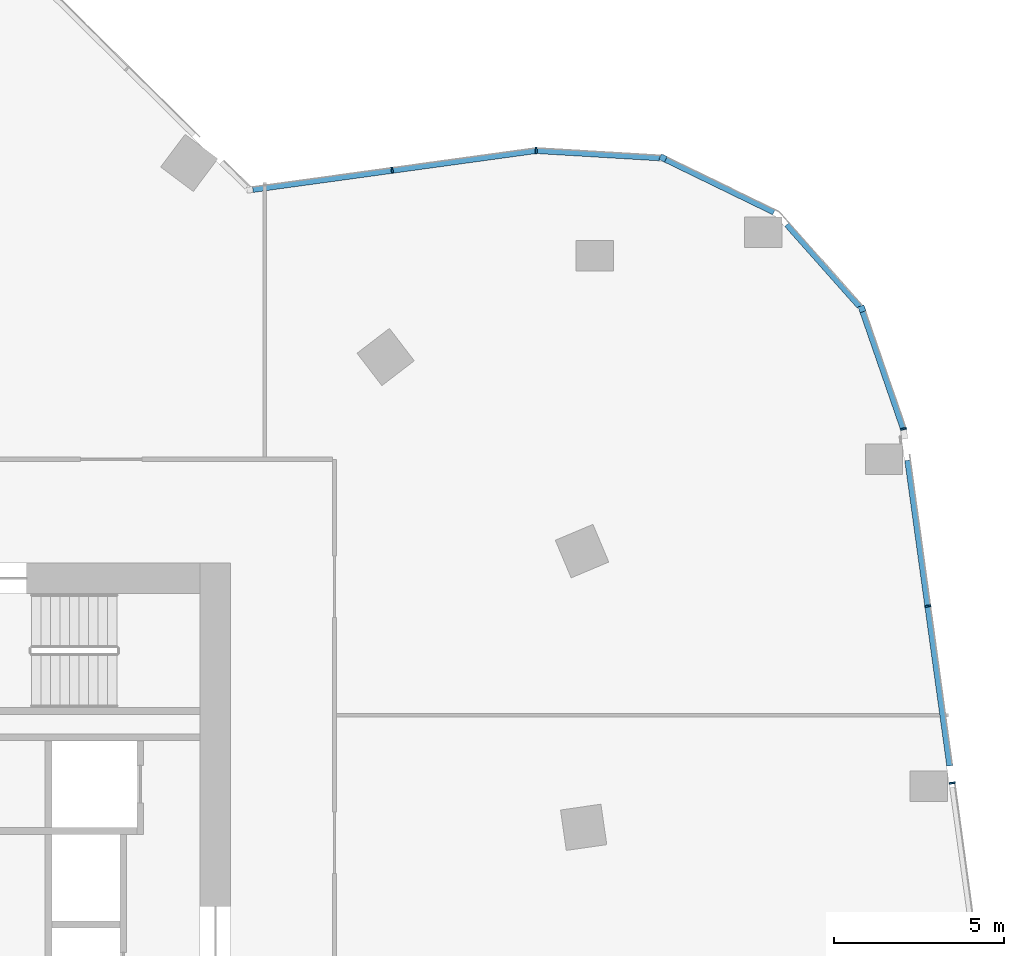
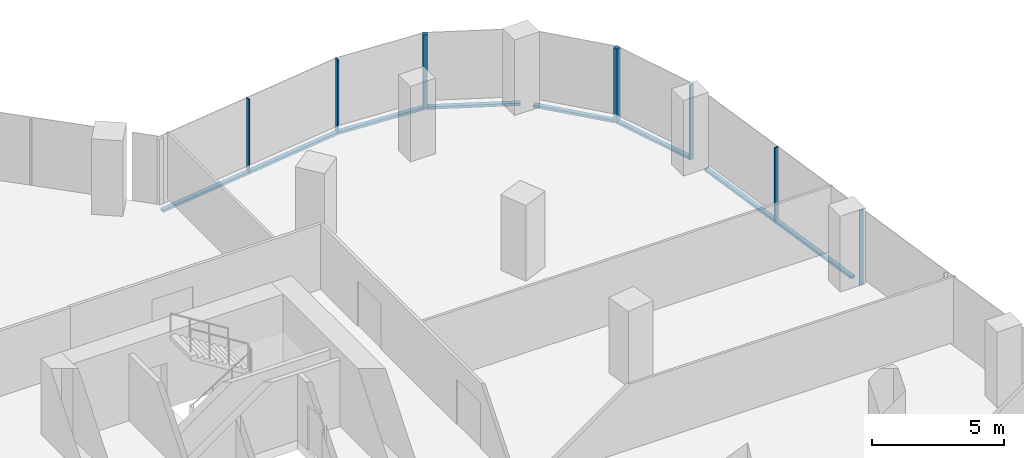
# One storey, part 11 of 27: 13 members, 6 elements without a shape of their own.
"""IFC4 building model written with IfcOpenShell, lengths in metres."""

from ifc_helpers import new_model, si_unit, direction, frame, origin, origin_2d, place, context, subcontext, project, spatial, rectangle, extrude, material, material_profile, profile_set, type_object, element, aggregate, save


model = new_model("IFC4")

# Units and contexts
model_context = context("Model", 3, precision=1e-05, world=origin(), true_north=direction((0.0, 1.0)))
body_context = subcontext(model_context, "Body", "Model", "MODEL_VIEW")
ifc_project = project(units=[si_unit("LENGTHUNIT", "METRE"), si_unit("AREAUNIT", "SQUARE_METRE"), si_unit("VOLUMEUNIT", "CUBIC_METRE"), si_unit("PLANEANGLEUNIT", "RADIAN"), si_unit("MASSUNIT", "GRAM", prefix="KILO")], contexts=[model_context])

# Site, building, storey
site_placement = place(None, origin())
site = spatial("IfcSite", under=ifc_project, at=site_placement, CompositionType="ELEMENT")
building_placement = place(site_placement, origin())
building = spatial("IfcBuilding", under=site, at=building_placement, Name="Orlundy Tower", CompositionType="ELEMENT")
storey_placement = place(building_placement, frame((0.0, 0.0, 199.10009765625)))
storey = spatial("IfcBuildingStorey", under=building, at=storey_placement, Name="L52", CompositionType="ELEMENT", Elevation=199.10009765625)

# Curtain wall, member
ifc_material_1 = material(Name="Aluminium bronze anodised", Category="aluminium")
curtain_wall_type = type_object("IfcCurtainWallType", Name="CW1 wall", PredefinedType="NOTDEFINED", material=ifc_material_1)
curtain_wall_1_placement = place(storey_placement, origin())
curtain_wall_1 = element("IfcCurtainWall", 1, at=curtain_wall_1_placement, inside=storey, type_object=curtain_wall_type, Name="CW1 run 08", PredefinedType="NOTDEFINED")
ifc_material_2 = material(Name="Aluminium bronze anodised", Category="aluminium")
ifc_material_profile_1 = material_profile(ifc_material_2, rectangle(XDim=0.179931640625, YDim=0.179931640625, at=origin_2d()), Name="CW1 corner post 180x180")
ifc_profile_set_1 = profile_set([ifc_material_profile_1], Name="Aluminium bronze anodised")
member_type_1 = type_object("IfcMemberType", Name="CW1 corner post 180x180", PredefinedType="MULLION", material=ifc_profile_set_1)
member_1_placement = place(storey_placement, frame((31.708251953125, 23.90673828125, -0.420166015625), z_axis=(0.0, 0.0, 1.0), x_axis=(0.43725937423, 0.89933544334, 0.0)))
member_1 = element("IfcMember", 2, at=member_1_placement, type_object=member_type_1, Name="CW1 mullion 29", PredefinedType="MULLION", context=body_context, shape_type="SweptSolid", body=[
    extrude(rectangle(XDim=0.179931640625, YDim=0.179931640625, at=origin_2d()), origin(), (0.0, 0.0, 1.0), 3.469970703125),
])

curtain_wall_2_placement = place(storey_placement, origin())
curtain_wall_2 = element("IfcCurtainWall", 3, at=curtain_wall_2_placement, inside=storey, type_object=curtain_wall_type, Name="CW1 run 010", PredefinedType="NOTDEFINED")
member_2_placement = place(storey_placement, frame((37.55810546875, 19.471435546875, -0.420166015625), z_axis=(0.0, 0.0, 1.0), x_axis=(0.945034174317, 0.32697157273, 0.0)))
member_2 = element("IfcMember", 4, at=member_2_placement, type_object=member_type_1, Name="CW1 mullion 31", PredefinedType="MULLION", context=body_context, shape_type="SweptSolid", body=[
    extrude(rectangle(XDim=0.179931640625, YDim=0.179931640625, at=origin_2d()), origin(), (0.0, 0.0, 1.0), 3.469970703125),
])

curtain_wall_3_placement = place(storey_placement, origin())
curtain_wall_3 = element("IfcCurtainWall", 5, at=curtain_wall_3_placement, inside=storey, type_object=curtain_wall_type, Name="CW1 run 06", PredefinedType="NOTDEFINED")
ifc_material_3 = material(Name="Aluminium bronze anodised", Category="aluminium")
ifc_material_profile_2 = material_profile(ifc_material_3, rectangle(XDim=0.179931640625, YDim=0.050048828125, at=origin_2d()), Name="CW1 mullion 50x180")
ifc_profile_set_2 = profile_set([ifc_material_profile_2], Name="Aluminium bronze anodised")
member_type_2 = type_object("IfcMemberType", Name="CW1 mullion 50x180", PredefinedType="MULLION", material=ifc_profile_set_2)
member_3_placement = place(storey_placement, frame((23.746337890625, 23.546142578125, -0.420166015625), z_axis=(0.0, 0.0, 1.0), x_axis=(-0.136185270904, 0.990683386349, 0.0)))
member_3 = element("IfcMember", 6, at=member_3_placement, type_object=member_type_2, Name="CW1 mullion 27", PredefinedType="MULLION", context=body_context, shape_type="SweptSolid", body=[
    extrude(rectangle(XDim=0.179931640625, YDim=0.050048828125, at=origin_2d()), origin(), (0.0, 0.0, 1.0), 3.469970703125),
])

curtain_wall_4_placement = place(storey_placement, origin())
curtain_wall_4 = element("IfcCurtainWall", 7, at=curtain_wall_4_placement, inside=storey, type_object=curtain_wall_type, Name="CW1 run 07", PredefinedType="NOTDEFINED")
member_4_placement = place(storey_placement, frame((27.9814453125, 24.12841796875, -0.420166015625), z_axis=(0.0, 0.0, 1.0), x_axis=(-0.038600530581, 0.9992547218, 0.0)))
member_4 = element("IfcMember", 8, at=member_4_placement, type_object=member_type_2, Name="CW1 mullion 28", PredefinedType="MULLION", context=body_context, shape_type="SweptSolid", body=[
    extrude(rectangle(XDim=0.179931640625, YDim=0.050048828125, at=origin_2d()), origin(), (0.0, 0.0, 1.0), 3.469970703125),
])

# Curtain wall, members
curtain_wall_5_placement = place(storey_placement, origin())
curtain_wall_5 = element("IfcCurtainWall", 9, at=curtain_wall_5_placement, inside=storey, type_object=curtain_wall_type, Name="CW1 run 011", PredefinedType="NOTDEFINED")
member_5_placement = place(storey_placement, frame((38.779052734375, 15.943115234375, -0.420166015625), z_axis=(0.0, 0.0, 1.0), x_axis=(0.972536597982, 0.232750006628, 0.0)))
member_5 = element("IfcMember", 10, at=member_5_placement, type_object=member_type_2, Name="CW1 mullion 32", PredefinedType="MULLION", context=body_context, shape_type="SweptSolid", body=[
    extrude(rectangle(XDim=0.179931640625, YDim=0.050048828125, at=origin_2d()), origin(), (0.0, 0.0, 1.0), 3.469970703125),
])
member_6_placement = place(storey_placement, frame((39.49560546875, 10.733154296875, -0.420166015625), z_axis=(0.0, 0.0, 1.0), x_axis=(0.990669519619, 0.13628610677, 0.0)))
member_6 = element("IfcMember", 11, at=member_6_placement, type_object=member_type_2, Name="CW1 mullion 33", PredefinedType="MULLION", context=body_context, shape_type="SweptSolid", body=[
    extrude(rectangle(XDim=0.179931640625, YDim=0.050048828125, at=origin_2d()), origin(), (0.0, 0.0, 1.0), 3.469970703125),
])
member_7_placement = place(storey_placement, frame((40.211181640625, 5.5322265625, -0.420166015625), z_axis=(0.0, 0.0, 1.0), x_axis=(0.990669519619, 0.13628610677, 0.0)))
member_7 = element("IfcMember", 12, at=member_7_placement, type_object=member_type_2, Name="CW1 mullion 34", PredefinedType="MULLION", context=body_context, shape_type="SweptSolid", body=[
    extrude(rectangle(XDim=0.179931640625, YDim=0.050048828125, at=origin_2d()), origin(), (0.0, 0.0, 1.0), 3.469970703125),
])

# Member
ifc_material_4 = material(Name="Aluminium bronze anodised", Category="aluminium")
ifc_material_profile_3 = material_profile(ifc_material_4, rectangle(XDim=0.179931640625, YDim=0.1201171875, at=origin_2d()), Name="CW1 transom 180x120")
ifc_profile_set_3 = profile_set([ifc_material_profile_3], Name="Aluminium bronze anodised")
member_type_3 = type_object("IfcMemberType", Name="CW1 transom 180x120", PredefinedType="USERDEFINED", material=ifc_profile_set_3)
member_8_placement = place(storey_placement, frame((19.65283203125, 22.9833984375, -0.360107421875), z_axis=(0.990681394628, 0.136199758946, 0.0), x_axis=(-0.136199758946, 0.990681394628, 0.0)))
member_8 = element("IfcMember", 13, at=member_8_placement, type_object=member_type_3, Name="CW1 transom", ObjectType="TRANSOM", PredefinedType="USERDEFINED", context=body_context, shape_type="SweptSolid", body=[
    extrude(rectangle(XDim=0.179931640625, YDim=0.1201171875, at=origin_2d()), origin(), (0.0, 0.0, 1.0), 8.3818359375),
])

aggregate(curtain_wall_3, [member_3, member_8])

member_9_placement = place(storey_placement, frame((28.006591796875, 24.126953125, -0.360107421875), z_axis=(0.998236396732, -0.059364098912, 0.0), x_axis=(0.059364098912, 0.998236396732, 0.0)))
member_9 = element("IfcMember", 14, at=member_9_placement, type_object=member_type_3, Name="CW1 transom", ObjectType="TRANSOM", PredefinedType="USERDEFINED", context=body_context, shape_type="SweptSolid", body=[
    extrude(rectangle(XDim=0.179931640625, YDim=0.1201171875, at=origin_2d()), origin(), (0.0, 0.0, 1.0), 3.61083984375),
])

aggregate(curtain_wall_4, [member_4, member_9])

member_10_placement = place(storey_placement, frame((31.7890625, 23.867431640625, -0.360107421875), z_axis=(0.899349404958, -0.437230657435, 0.0), x_axis=(0.437230657435, 0.899349404958, 0.0)))
member_10 = element("IfcMember", 15, at=member_10_placement, type_object=member_type_3, Name="CW1 transom", ObjectType="TRANSOM", PredefinedType="USERDEFINED", context=body_context, shape_type="SweptSolid", body=[
    extrude(rectangle(XDim=0.179931640625, YDim=0.1201171875, at=origin_2d()), origin(), (0.0, 0.0, 1.0), 3.541259765625),
])

aggregate(curtain_wall_1, [member_1, member_10])

# Curtain wall, member
curtain_wall_6_placement = place(storey_placement, origin())
curtain_wall_6 = element("IfcCurtainWall", 16, at=curtain_wall_6_placement, inside=storey, type_object=curtain_wall_type, Name="CW1 run 09", PredefinedType="NOTDEFINED")
member_11_placement = place(storey_placement, frame((35.35595703125, 21.952880859375, -0.360107421875), z_axis=(0.663780171521, -0.747927726385, 0.0), x_axis=(0.747927726385, 0.663780171521, 0.0)))
member_11 = element("IfcMember", 17, at=member_11_placement, type_object=member_type_3, Name="CW1 transom", ObjectType="TRANSOM", PredefinedType="USERDEFINED", context=body_context, shape_type="SweptSolid", body=[
    extrude(rectangle(XDim=0.179931640625, YDim=0.1201171875, at=origin_2d()), origin(), (0.0, 0.0, 1.0), 3.220458984375),
])
aggregate(curtain_wall_6, [member_11])

# Member
member_12_placement = place(storey_placement, frame((37.587646484375, 19.38623046875, -0.360107421875), z_axis=(0.326976148549, -0.945032591121, 0.0), x_axis=(0.945032591121, 0.326976148549, 0.0)))
member_12 = element("IfcMember", 18, at=member_12_placement, type_object=member_type_3, Name="CW1 transom", ObjectType="TRANSOM", PredefinedType="USERDEFINED", context=body_context, shape_type="SweptSolid", body=[
    extrude(rectangle(XDim=0.179931640625, YDim=0.1201171875, at=origin_2d()), origin(), (0.0, 0.0, 1.0), 3.618408203125),
])

aggregate(curtain_wall_2, [member_2, member_12])

member_13_placement = place(storey_placement, frame((38.906005859375, 15.01953125, -0.360107421875), z_axis=(0.136288378203, -0.990669207136, 0.0), x_axis=(0.990669207136, 0.136288378203, 0.0)))
member_13 = element("IfcMember", 19, at=member_13_placement, type_object=member_type_3, Name="CW1 transom", ObjectType="TRANSOM", PredefinedType="USERDEFINED", context=body_context, shape_type="SweptSolid", body=[
    extrude(rectangle(XDim=0.179931640625, YDim=0.1201171875, at=origin_2d()), origin(), (0.0, 0.0, 1.0), 9.06591796875),
])

aggregate(curtain_wall_5, [member_5, member_6, member_7, member_13])

save(model, "model.ifc")
